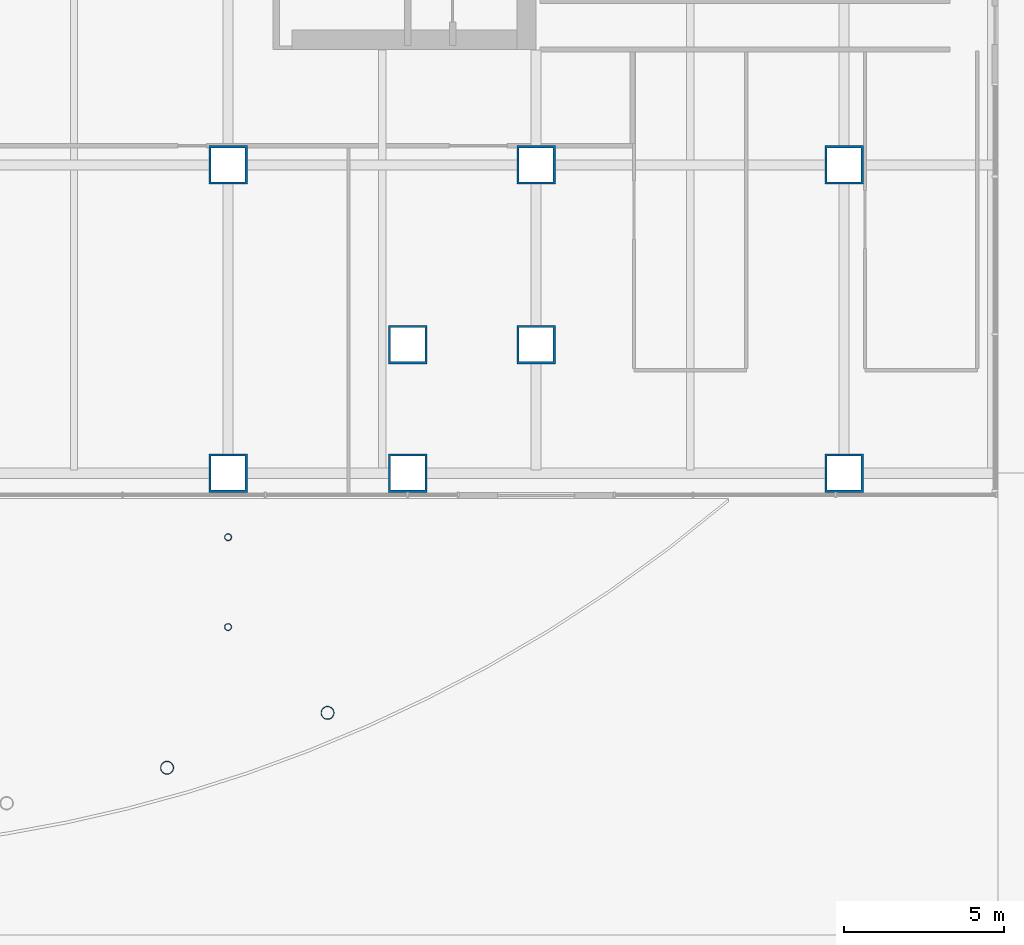
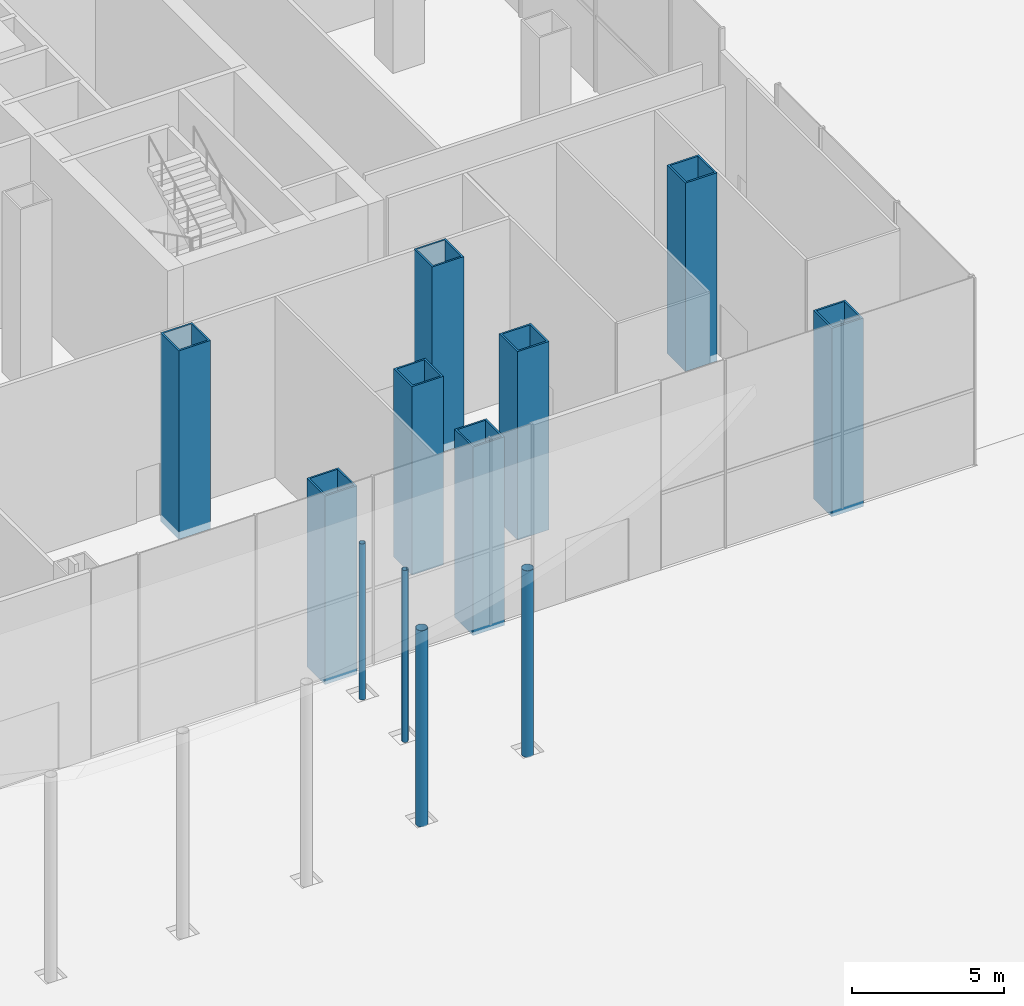
# One storey, part 4 of 36: 12 columns.
"""IFC4 building model written with IfcOpenShell, lengths in metres."""

from ifc_helpers import new_model, si_unit, direction, frame, origin, origin_2d, place, context, subcontext, project, spatial, hollow_rectangle, hollow_circle, extrude, material, material_profile, profile_set, type_object, element, save


model = new_model("IFC4")

# Units and contexts
model_context = context("Model", 3, precision=1e-05, world=origin(), true_north=direction((0.0, 1.0)))
body_context = subcontext(model_context, "Body", "Model", "MODEL_VIEW")
ifc_project = project(units=[si_unit("LENGTHUNIT", "METRE"), si_unit("AREAUNIT", "SQUARE_METRE"), si_unit("VOLUMEUNIT", "CUBIC_METRE"), si_unit("PLANEANGLEUNIT", "RADIAN"), si_unit("MASSUNIT", "GRAM", prefix="KILO")], contexts=[model_context])

# Site, building, storey
site_placement = place(None, origin())
site = spatial("IfcSite", under=ifc_project, at=site_placement, CompositionType="ELEMENT")
building_placement = place(site_placement, origin())
building = spatial("IfcBuilding", under=site, at=building_placement, Name="Cobrizo Arcos Hotel Tower", CompositionType="ELEMENT")
storey_placement = place(building_placement, origin())
storey = spatial("IfcBuildingStorey", under=building, at=storey_placement, Name="L00", CompositionType="ELEMENT", Elevation=0.0)

# Columns
ifc_material_1 = material(Name="Steel ASTM A572 Grade 50", Category="steel")
ifc_material_profile_1 = material_profile(ifc_material_1, hollow_rectangle(XDim=1.199951171875, YDim=1.199951171875, WallThickness=0.070068359375, at=origin_2d()), Name="BOX 1200X1200X70")
ifc_profile_set_1 = profile_set([ifc_material_profile_1], Name="Steel ASTM A572 Grade 50")
column_type_1 = type_object("IfcColumnType", Name="BOX 1200X1200X70 column", PredefinedType="COLUMN", material=ifc_profile_set_1)
for number, where, z_axis, x_axis, name in (
    (1, (14.39990234375, -24.0, -0.300048828125), (0.0, 0.0, 1.0), (1.0, 0.0, 0.0), "Perimeter column C1, L00, no. 14"),
    (2, (20.0, -24.0, -0.300048828125), (0.0, 0.0, 1.0), (1.0, 0.0, 0.0), "Perimeter column C1, L00, no. 16"),
    (3, (33.60009765625, -24.0, -0.300048828125), (0.0, 0.0, 1.0), (1.0, 0.0, 0.0), "Perimeter column C1, L00, no. 18"),
    (4, (33.60009765625, -14.39990234375, -0.300048828125), (0.0, 0.0, 1.0), (1.0, 0.0, 0.0), "Perimeter column C1, L00, no. 19"),
):
    element("IfcColumn", number, at=place(storey_placement, frame(where, z_axis=z_axis, x_axis=x_axis)), inside=storey, type_object=column_type_1, Name=name, PredefinedType="COLUMN", context=body_context, shape_type="SweptSolid", body=[
        extrude(hollow_rectangle(XDim=1.199951171875, YDim=1.199951171875, WallThickness=0.070068359375, at=origin_2d()), origin(), (0.0, 0.0, 1.0), 7.550048828125),
    ])
ifc_material_profile_2 = material_profile(ifc_material_1, hollow_rectangle(XDim=1.199951171875, YDim=1.199951171875, WallThickness=0.070068359375, at=origin_2d()), Name="BOX 1200X1200X70")
ifc_profile_set_2 = profile_set([ifc_material_profile_2], Name="Steel ASTM A572 Grade 50")
column_type_2 = type_object("IfcColumnType", Name="BOX 1200X1200X70 interior column", PredefinedType="COLUMN", material=ifc_profile_set_2)
for number, where, z_axis, x_axis, name in (
    (5, (14.39990234375, -14.39990234375, -0.300048828125), (0.0, 0.0, 1.0), (1.0, 0.0, 0.0), "Interior column C2, L00, no. 18"),
    (6, (20.0, -20.0, -0.300048828125), (0.0, 0.0, 1.0), (1.0, 0.0, 0.0), "Interior column C2, L00, no. 22"),
    (7, (24.0, -20.0, -0.300048828125), (0.0, 0.0, 1.0), (1.0, 0.0, 0.0), "Interior column C2, L00, no. 24"),
    (8, (24.0, -14.39990234375, -0.300048828125), (0.0, 0.0, 1.0), (1.0, 0.0, 0.0), "Interior column C2, L00, no. 25"),
):
    element("IfcColumn", number, at=place(storey_placement, frame(where, z_axis=z_axis, x_axis=x_axis)), inside=storey, type_object=column_type_2, Name=name, PredefinedType="COLUMN", context=body_context, shape_type="SweptSolid", body=[
        extrude(hollow_rectangle(XDim=1.199951171875, YDim=1.199951171875, WallThickness=0.070068359375, at=origin_2d()), origin(), (0.0, 0.0, 1.0), 7.550048828125),
    ])
ifc_material_2 = material(Name="Steel ASTM A500 Grade C", Category="steel")
ifc_material_profile_3 = material_profile(ifc_material_2, hollow_circle(Radius=0.203125, WallThickness=0.01171875, at=origin_2d()), Name="HSS16.000X0.500")
ifc_profile_set_3 = profile_set([ifc_material_profile_3], Name="Steel ASTM A500 Grade C")
column_type_3 = type_object("IfcColumnType", Name="HSS16.000X0.500 canopy column", PredefinedType="COLUMN", material=ifc_profile_set_3)
column_1_placement = place(storey_placement, frame((12.5, -33.184814453125, -0.199951171875), z_axis=(0.0, 0.0, 1.0), x_axis=(1.0, 0.0, 0.0)))
element("IfcColumn", 9, at=column_1_placement, inside=storey, type_object=column_type_3, Name="Waterfront canopy column 6", PredefinedType="COLUMN", context=body_context, shape_type="SweptSolid", body=[
    extrude(hollow_circle(Radius=0.203125, WallThickness=0.01171875, at=origin_2d()), origin(), (0.0, 0.0, 1.0), 7.859375),
])
column_2_placement = place(storey_placement, frame((17.5, -31.47412109375, -0.199951171875), z_axis=(0.0, 0.0, 1.0), x_axis=(1.0, 0.0, 0.0)))
element("IfcColumn", 10, at=column_2_placement, inside=storey, type_object=column_type_3, Name="Waterfront canopy column 8", PredefinedType="COLUMN", context=body_context, shape_type="SweptSolid", body=[
    extrude(hollow_circle(Radius=0.203125, WallThickness=0.01171875, at=origin_2d()), origin(), (0.0, 0.0, 1.0), 7.470703125),
])
ifc_material_profile_4 = material_profile(ifc_material_2, hollow_circle(Radius=0.109619140625, WallThickness=0.01171875, at=origin_2d()), Name="HSS8.625X0.500")
ifc_profile_set_4 = profile_set([ifc_material_profile_4], Name="Steel ASTM A500 Grade C")
column_type_4 = type_object("IfcColumnType", Name="HSS8.625X0.500 colonnade column", PredefinedType="COLUMN", material=ifc_profile_set_4)
column_3_placement = place(storey_placement, frame((14.39990234375, -26.0, -0.199951171875), z_axis=(0.0, 0.0, 1.0), x_axis=(1.0, 0.0, 0.0)))
element("IfcColumn", 11, at=column_3_placement, inside=storey, type_object=column_type_4, Name="Colonnade column 2-1", PredefinedType="COLUMN", context=body_context, shape_type="SweptSolid", body=[
    extrude(hollow_circle(Radius=0.109619140625, WallThickness=0.01171875, at=origin_2d()), origin(), (0.0, 0.0, 1.0), 6.247802734375),
])
column_4_placement = place(storey_placement, frame((14.39990234375, -28.800048828125, -0.199951171875), z_axis=(0.0, 0.0, 1.0), x_axis=(1.0, 0.0, 0.0)))
element("IfcColumn", 12, at=column_4_placement, inside=storey, type_object=column_type_4, Name="Colonnade column 2-2", PredefinedType="COLUMN", context=body_context, shape_type="SweptSolid", body=[
    extrude(hollow_circle(Radius=0.109619140625, WallThickness=0.01171875, at=origin_2d()), origin(), (0.0, 0.0, 1.0), 6.884033203125),
])

save(model, "model.ifc")
